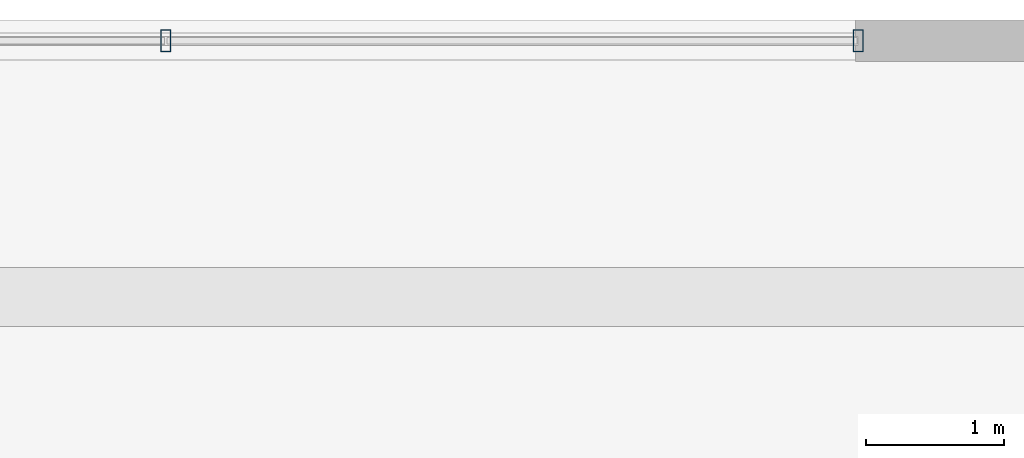
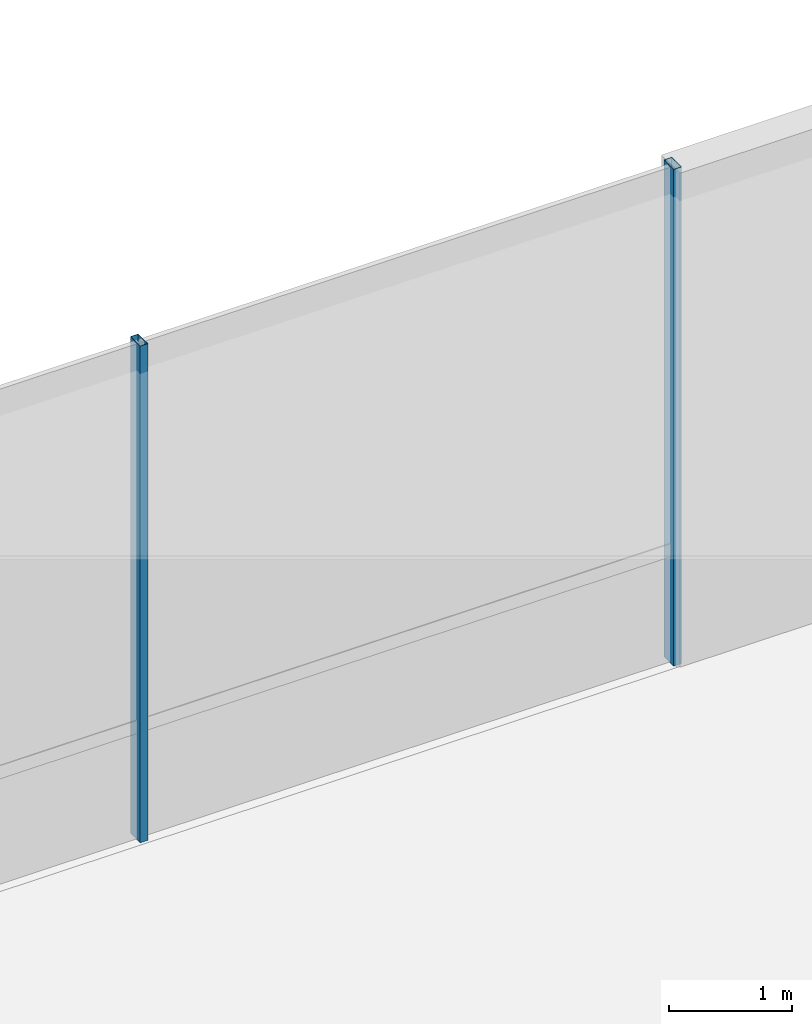
# One storey, part 18 of 39: 2 members, 1 element without a shape of its own.
"""IFC4 building model written with IfcOpenShell, lengths in metres."""

from ifc_helpers import new_model, si_unit, direction, frame, origin, origin_2d, place, context, subcontext, project, spatial, hollow_rectangle, extrude, source, transform, mapped, material, material_profile, profile_set, type_object, element, aggregate, save


model = new_model("IFC4")

# Units and contexts
model_context = context("Model", 3, precision=1e-05, world=origin(), true_north=direction((0.0, 1.0)))
body_context = subcontext(model_context, "Body", "Model", "MODEL_VIEW")
ifc_project = project(units=[si_unit("LENGTHUNIT", "METRE"), si_unit("AREAUNIT", "SQUARE_METRE"), si_unit("VOLUMEUNIT", "CUBIC_METRE"), si_unit("PLANEANGLEUNIT", "RADIAN"), si_unit("MASSUNIT", "GRAM", prefix="KILO")], contexts=[model_context])

# Site, building, storey
site_placement = place(None, origin())
site = spatial("IfcSite", under=ifc_project, at=site_placement, CompositionType="ELEMENT")
building_placement = place(site_placement, origin())
building = spatial("IfcBuilding", under=site, at=building_placement, Name="Valdorenza Pilgrim Sanctuary Tower", CompositionType="ELEMENT")
storey_placement = place(building_placement, frame((0.0, 0.0, 5.199951171875)))
storey = spatial("IfcBuildingStorey", under=building, at=storey_placement, Name="L01", CompositionType="ELEMENT", Elevation=5.199951171875)

# Curtain wall, members
ifc_material_1 = material(Name="Curtain-wall IGU glazing", Category="glass")
curtain_wall_type = type_object("IfcCurtainWallType", Name="CW-SYS-01", PredefinedType="NOTDEFINED", material=ifc_material_1)
curtain_wall_placement = place(storey_placement, origin())
curtain_wall = element("IfcCurtainWall", 1, at=curtain_wall_placement, inside=storey, type_object=curtain_wall_type, Name="L01 Curtain Wall CW-POD-L01-NN", PredefinedType="NOTDEFINED")
ifc_material_2 = material(Name="Anodised aluminium AW-6060", Category="aluminium")
ifc_material_profile = material_profile(ifc_material_2, hollow_rectangle(XDim=0.074951171875, YDim=0.159912109375, WallThickness=0.00390625, at=origin_2d()), Name="ALU-M 160x75x4")
ifc_profile_set = profile_set([ifc_material_profile], Name="Anodised aluminium AW-6060")
member_type = type_object("IfcMemberType", Name="CW-MUL-01", PredefinedType="MULLION", material=ifc_profile_set)
shared_shape = source(origin(), body_context, "Body", "SweptSolid", [
    extrude(hollow_rectangle(XDim=0.074951171875, YDim=0.159912109375, WallThickness=0.00390625, at=origin_2d()), origin(), (0.0, 0.0, 1.0), 4.920166015625),
])
member_1_placement = place(storey_placement, frame((5.0, 22.85009765625, 0.0), z_axis=(0.0, 0.0, 1.0), x_axis=(1.0, 0.0, 0.0)))
member_1 = element("IfcMember", 2, at=member_1_placement, type_object=member_type, Name="CW-POD-L01-NN Mullion 4", PredefinedType="MULLION", context=body_context, shape_type="MappedRepresentation", body=[
    mapped(shared_shape, transform((0.0, 0.0, 0.0), x_axis=(1.0, 0.0, 0.0), y_axis=(0.0, 1.0, 0.0), z_axis=(0.0, 0.0, 1.0), scale=1.0)),
])
member_2_placement = place(storey_placement, frame((10.0, 22.85009765625, 0.0), z_axis=(0.0, 0.0, 1.0), x_axis=(1.0, 0.0, 0.0)))
member_2 = element("IfcMember", 3, at=member_2_placement, type_object=member_type, Name="CW-POD-L01-NN Mullion 5", PredefinedType="MULLION", context=body_context, shape_type="MappedRepresentation", body=[
    mapped(shared_shape, transform((0.0, 0.0, 0.0), x_axis=(1.0, 0.0, 0.0), y_axis=(0.0, 1.0, 0.0), z_axis=(0.0, 0.0, 1.0), scale=1.0)),
])
aggregate(curtain_wall, [member_1, member_2])

save(model, "model.ifc")
